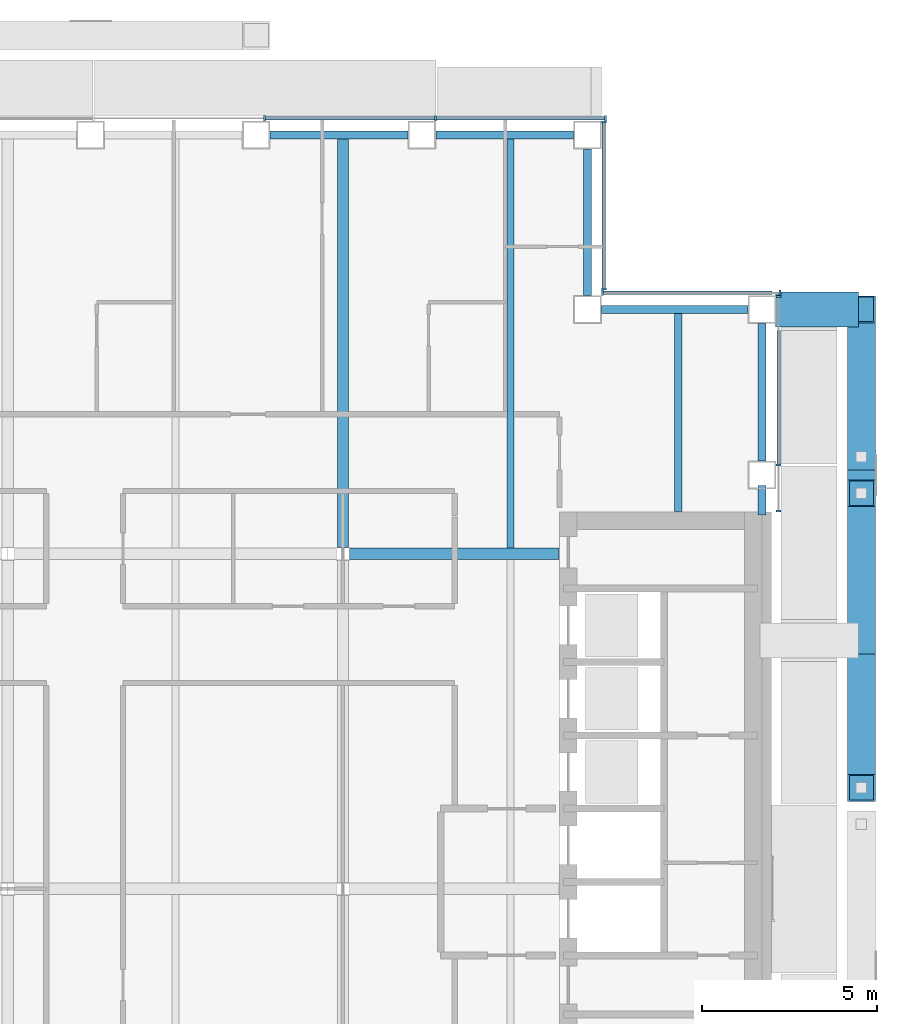
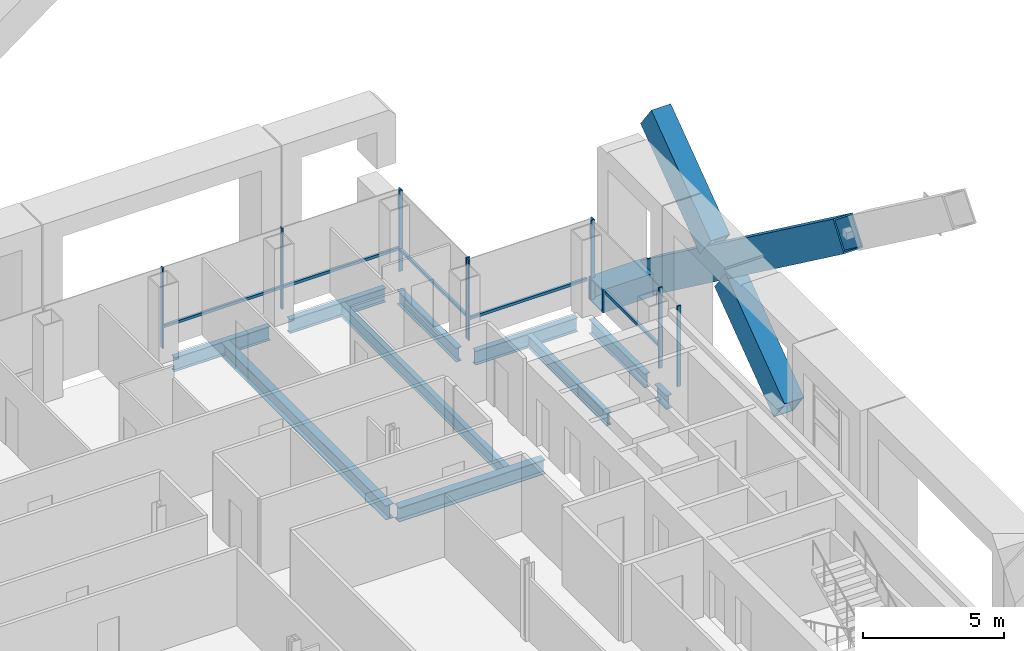
# One storey, part 10 of 22: 18 members, 11 beams, 4 elements without a shape of their own.
"""IFC4 building model written with IfcOpenShell, lengths in metres."""

from ifc_helpers import new_model, si_unit, direction, frame, origin, origin_2d, place, context, subcontext, project, spatial, rectangle, hollow_rectangle, i_section, extrude, material, material_profile, profile_set, type_object, element, aggregate, save


model = new_model("IFC4")

# Units and contexts
model_context = context("Model", 3, precision=1e-05, world=origin(), true_north=direction((0.0, 1.0)))
body_context = subcontext(model_context, "Body", "Model", "MODEL_VIEW")
ifc_project = project(units=[si_unit("LENGTHUNIT", "METRE"), si_unit("AREAUNIT", "SQUARE_METRE"), si_unit("VOLUMEUNIT", "CUBIC_METRE"), si_unit("PLANEANGLEUNIT", "RADIAN"), si_unit("MASSUNIT", "GRAM", prefix="KILO")], contexts=[model_context])

# Site, building, storey
site_placement = place(None, origin())
site = spatial("IfcSite", under=ifc_project, at=site_placement, CompositionType="ELEMENT")
building_placement = place(site_placement, origin())
building = spatial("IfcBuilding", under=site, at=building_placement, Name="Cobrizo Arcos Hotel Tower", CompositionType="ELEMENT")
storey_placement = place(building_placement, frame((0.0, 0.0, 169.0)))
storey = spatial("IfcBuildingStorey", under=building, at=storey_placement, Name="L43", CompositionType="ELEMENT", Elevation=169.0)

# Beam
ifc_material_1 = material(Name="Steel ASTM A572 Grade 50", Category="steel")
ifc_material_profile_1 = material_profile(ifc_material_1, hollow_rectangle(XDim=1.0, YDim=1.0, WallThickness=0.06005859375, at=origin_2d()), Name="BOX 1000X1000X60")
ifc_profile_set_1 = profile_set([ifc_material_profile_1], Name="Steel ASTM A572 Grade 50")
beam_type_1 = type_object("IfcBeamType", Name="BOX 1000X1000X60 brace connector strut", PredefinedType="BEAM", material=ifc_profile_set_1)
beam_1_placement = place(storey_placement, frame((21.989990234375, 16.60009765625, 0.5), z_axis=(1.0, 0.0, 0.0), x_axis=(0.0, 1.0, 0.0)))
element("IfcBeam", 1, at=beam_1_placement, inside=storey, type_object=beam_type_1, Name="Perimeter brace stub BS1, zone Z3, east face, offset +16.60 m, L43", PredefinedType="BEAM", context=body_context, shape_type="SweptSolid", body=[
    extrude(hollow_rectangle(XDim=1.0, YDim=1.0, WallThickness=0.06005859375, at=origin_2d()), origin(), (0.0, 0.0, 1.0), 2.380126953125),
])

# Members
ifc_material_profile_2 = material_profile(ifc_material_1, hollow_rectangle(XDim=0.800048828125, YDim=1.300048828125, WallThickness=0.06005859375, at=origin_2d()), Name="BOX 800X1300X60")
ifc_profile_set_2 = profile_set([ifc_material_profile_2], Name="Steel ASTM A572 Grade 50")
member_type_1 = type_object("IfcMemberType", Name="BOX 800X1300X60 perimeter brace", PredefinedType="BRACE", material=ifc_profile_set_2)
for number, where, z_axis, x_axis, name in (
    (2, (24.449951171875, 7.1142578125, 0.5), (0.0, 0.804623858684, 0.593784848271), (-1.0, 0.0, 0.0), "Perimeter brace PBR3, zone Z3, east face, no. 12"),
    (3, (24.449951171875, 12.38037109375, 4.385986328125), (0.0, 0.804623858684, 0.593784848271), (-1.0, 0.0, 0.0), "Perimeter brace PBR3, zone Z3, east face, no. 12b"),
):
    element("IfcMember", number, at=place(storey_placement, frame(where, z_axis=z_axis, x_axis=x_axis)), inside=storey, type_object=member_type_1, Name=name, PredefinedType="BRACE", context=body_context, shape_type="SweptSolid", body=[
        extrude(hollow_rectangle(XDim=0.800048828125, YDim=1.300048828125, WallThickness=0.06005859375, at=origin_2d()), origin(), (0.0, 0.0, 1.0), 5.244384765625),
    ])
member_1_placement = place(storey_placement, frame((24.449951171875, 16.60009765625, 0.5), z_axis=(0.0, -0.804630166974, 0.593776299961), x_axis=(1.0, 0.0, 0.0)))
element("IfcMember", 4, at=member_1_placement, inside=storey, type_object=member_type_1, Name="Perimeter brace PBR3, zone Z3, east face, no. 13", PredefinedType="BRACE", context=body_context, shape_type="SweptSolid", body=[
    extrude(hollow_rectangle(XDim=0.800048828125, YDim=1.300048828125, WallThickness=0.06005859375, at=origin_2d()), origin(), (0.0, 0.0, 1.0), 17.033447265625),
])

# Curtain wall, members
ifc_material_2 = material(Name="Aluminium 6063-T6 anodised bronze", Category="aluminium")
curtain_wall_type = type_object("IfcCurtainWallType", Name="CW-A guest facade", PredefinedType="NOTDEFINED", material=ifc_material_2)
curtain_wall_1_placement = place(storey_placement, origin())
curtain_wall_1 = element("IfcCurtainWall", 5, at=curtain_wall_1_placement, inside=storey, type_object=curtain_wall_type, Name="CW-A L43 E face", PredefinedType="NOTDEFINED")
ifc_material_profile_3 = material_profile(ifc_material_2, rectangle(XDim=0.14990234375, YDim=0.06005859375, at=origin_2d()), Name="CW-A mullion 150x60")
ifc_profile_set_3 = profile_set([ifc_material_profile_3], Name="Aluminium 6063-T6 anodised bronze")
member_type_2 = type_object("IfcMemberType", Name="CW-A mullion 150x60", PredefinedType="MULLION", material=ifc_profile_set_3)
member_2_placement = place(storey_placement, frame((22.074951171875, 10.830078125, 0.0), z_axis=(0.0, 0.0, 1.0), x_axis=(1.0, 0.0, 0.0)))
member_2 = element("IfcMember", 6, at=member_2_placement, type_object=member_type_2, Name="CW-A mullion 1", PredefinedType="MULLION", context=body_context, shape_type="SweptSolid", body=[
    extrude(rectangle(XDim=0.14990234375, YDim=0.06005859375, at=origin_2d()), origin(), (0.0, 0.0, 1.0), 3.5),
])
member_3_placement = place(storey_placement, frame((22.074951171875, 12.142822265625, 0.0), z_axis=(0.0, 0.0, 1.0), x_axis=(1.0, 0.0, 0.0)))
member_3 = element("IfcMember", 7, at=member_3_placement, type_object=member_type_2, Name="CW-A mullion 2", PredefinedType="MULLION", context=body_context, shape_type="SweptSolid", body=[
    extrude(rectangle(XDim=0.14990234375, YDim=0.06005859375, at=origin_2d()), origin(), (0.0, 0.0, 1.0), 3.5),
])
member_4_placement = place(storey_placement, frame((22.074951171875, 16.969970703125, 0.0), z_axis=(0.0, 0.0, 1.0), x_axis=(1.0, 0.0, 0.0)))
member_4 = element("IfcMember", 8, at=member_4_placement, type_object=member_type_2, Name="CW-A mullion 3", PredefinedType="MULLION", context=body_context, shape_type="SweptSolid", body=[
    extrude(rectangle(XDim=0.14990234375, YDim=0.06005859375, at=origin_2d()), origin(), (0.0, 0.0, 1.0), 3.5),
])

curtain_wall_2_placement = place(storey_placement, origin())
curtain_wall_2 = element("IfcCurtainWall", 9, at=curtain_wall_2_placement, inside=storey, type_object=curtain_wall_type, Name="CW-A L43 N face", PredefinedType="NOTDEFINED")
member_5_placement = place(storey_placement, frame((22.1201171875, 17.074951171875, 0.0), z_axis=(0.0, 0.0, 1.0), x_axis=(0.0, 1.0, 0.0)))
member_5 = element("IfcMember", 10, at=member_5_placement, type_object=member_type_2, Name="CW-A mullion 1", PredefinedType="MULLION", context=body_context, shape_type="SweptSolid", body=[
    extrude(rectangle(XDim=0.14990234375, YDim=0.06005859375, at=origin_2d()), origin(), (0.0, 0.0, 1.0), 3.5),
])
member_6_placement = place(storey_placement, frame((17.030029296875, 17.074951171875, 0.0), z_axis=(0.0, 0.0, 1.0), x_axis=(0.0, 1.0, 0.0)))
member_6 = element("IfcMember", 11, at=member_6_placement, type_object=member_type_2, Name="CW-A mullion 2", PredefinedType="MULLION", context=body_context, shape_type="SweptSolid", body=[
    extrude(rectangle(XDim=0.14990234375, YDim=0.06005859375, at=origin_2d()), origin(), (0.0, 0.0, 1.0), 3.5),
])

curtain_wall_3_placement = place(storey_placement, origin())
curtain_wall_3 = element("IfcCurtainWall", 12, at=curtain_wall_3_placement, inside=storey, type_object=curtain_wall_type, Name="CW-A L43 E face", PredefinedType="NOTDEFINED")
member_7_placement = place(storey_placement, frame((17.074951171875, 17.179931640625, 0.0), z_axis=(0.0, 0.0, 1.0), x_axis=(1.0, 0.0, 0.0)))
member_7 = element("IfcMember", 13, at=member_7_placement, type_object=member_type_2, Name="CW-A mullion 1", PredefinedType="MULLION", context=body_context, shape_type="SweptSolid", body=[
    extrude(rectangle(XDim=0.14990234375, YDim=0.06005859375, at=origin_2d()), origin(), (0.0, 0.0, 1.0), 3.5),
])
member_8_placement = place(storey_placement, frame((17.074951171875, 21.969970703125, 0.0), z_axis=(0.0, 0.0, 1.0), x_axis=(1.0, 0.0, 0.0)))
member_8 = element("IfcMember", 14, at=member_8_placement, type_object=member_type_2, Name="CW-A mullion 2", PredefinedType="MULLION", context=body_context, shape_type="SweptSolid", body=[
    extrude(rectangle(XDim=0.14990234375, YDim=0.06005859375, at=origin_2d()), origin(), (0.0, 0.0, 1.0), 3.5),
])

curtain_wall_4_placement = place(storey_placement, origin())
curtain_wall_4 = element("IfcCurtainWall", 15, at=curtain_wall_4_placement, inside=storey, type_object=curtain_wall_type, Name="CW-A L43 N face", PredefinedType="NOTDEFINED")
member_9_placement = place(storey_placement, frame((17.1201171875, 22.074951171875, 0.0), z_axis=(0.0, 0.0, 1.0), x_axis=(0.0, 1.0, 0.0)))
member_9 = element("IfcMember", 16, at=member_9_placement, type_object=member_type_2, Name="CW-A mullion 1", PredefinedType="MULLION", context=body_context, shape_type="SweptSolid", body=[
    extrude(rectangle(XDim=0.14990234375, YDim=0.06005859375, at=origin_2d()), origin(), (0.0, 0.0, 1.0), 3.5),
])
member_10_placement = place(storey_placement, frame((12.25, 22.074951171875, 0.0), z_axis=(0.0, 0.0, 1.0), x_axis=(0.0, 1.0, 0.0)))
member_10 = element("IfcMember", 17, at=member_10_placement, type_object=member_type_2, Name="CW-A mullion 2", PredefinedType="MULLION", context=body_context, shape_type="SweptSolid", body=[
    extrude(rectangle(XDim=0.14990234375, YDim=0.06005859375, at=origin_2d()), origin(), (0.0, 0.0, 1.0), 3.5),
])
member_11_placement = place(storey_placement, frame((7.35009765625, 22.074951171875, 0.0), z_axis=(0.0, 0.0, 1.0), x_axis=(0.0, 1.0, 0.0)))
member_11 = element("IfcMember", 18, at=member_11_placement, type_object=member_type_2, Name="CW-A mullion 3", PredefinedType="MULLION", context=body_context, shape_type="SweptSolid", body=[
    extrude(rectangle(XDim=0.14990234375, YDim=0.06005859375, at=origin_2d()), origin(), (0.0, 0.0, 1.0), 3.5),
])

# Member
ifc_material_profile_4 = material_profile(ifc_material_2, rectangle(XDim=0.10009765625, YDim=0.1201171875, at=origin_2d()), Name="CW-A transom 120x100")
ifc_profile_set_4 = profile_set([ifc_material_profile_4], Name="Aluminium 6063-T6 anodised bronze")
member_type_3 = type_object("IfcMemberType", Name="CW-A transom 120x100", PredefinedType="USERDEFINED", material=ifc_profile_set_4)
member_12_placement = place(storey_placement, frame((22.074951171875, 12.1728515625, 0.929931640625), z_axis=(0.0, 1.0, 0.0), x_axis=(-1.0, 0.0, 0.0)))
member_12 = element("IfcMember", 19, at=member_12_placement, type_object=member_type_3, Name="CW-A transom 1528", ObjectType="TRANSOM", PredefinedType="USERDEFINED", context=body_context, shape_type="SweptSolid", body=[
    extrude(rectangle(XDim=0.10009765625, YDim=0.1201171875, at=origin_2d()), origin(), (0.0, 0.0, 1.0), 3.8271484375),
])

aggregate(curtain_wall_1, [member_2, member_3, member_4, member_12])

member_13_placement = place(storey_placement, frame((21.889892578125, 17.074951171875, 0.929931640625), z_axis=(-1.0, 0.0, 0.0), x_axis=(0.0, -1.0, 0.0)))
member_13 = element("IfcMember", 20, at=member_13_placement, type_object=member_type_3, Name="CW-A transom 1529", ObjectType="TRANSOM", PredefinedType="USERDEFINED", context=body_context, shape_type="SweptSolid", body=[
    extrude(rectangle(XDim=0.10009765625, YDim=0.1201171875, at=origin_2d()), origin(), (0.0, 0.0, 1.0), 4.829833984375),
])

aggregate(curtain_wall_2, [member_5, member_6, member_13])

member_14_placement = place(storey_placement, frame((17.074951171875, 17.2099609375, 0.929931640625), z_axis=(0.0, 1.0, 0.0), x_axis=(-1.0, 0.0, 0.0)))
member_14 = element("IfcMember", 21, at=member_14_placement, type_object=member_type_3, Name="CW-A transom 1530", ObjectType="TRANSOM", PredefinedType="USERDEFINED", context=body_context, shape_type="SweptSolid", body=[
    extrude(rectangle(XDim=0.10009765625, YDim=0.1201171875, at=origin_2d()), origin(), (0.0, 0.0, 1.0), 4.72998046875),
])

aggregate(curtain_wall_3, [member_7, member_8, member_14])

member_15_placement = place(storey_placement, frame((17.090087890625, 22.074951171875, 0.929931640625), z_axis=(-1.0, 0.0, 0.0), x_axis=(0.0, -1.0, 0.0)))
member_15 = element("IfcMember", 22, at=member_15_placement, type_object=member_type_3, Name="CW-A transom 1531", ObjectType="TRANSOM", PredefinedType="USERDEFINED", context=body_context, shape_type="SweptSolid", body=[
    extrude(rectangle(XDim=0.10009765625, YDim=0.1201171875, at=origin_2d()), origin(), (0.0, 0.0, 1.0), 4.81005859375),
])

member_16_placement = place(storey_placement, frame((12.219970703125, 22.074951171875, 0.929931640625), z_axis=(-1.0, 0.0, 0.0), x_axis=(0.0, -1.0, 0.0)))
member_16 = element("IfcMember", 23, at=member_16_placement, type_object=member_type_3, Name="CW-A transom 1532", ObjectType="TRANSOM", PredefinedType="USERDEFINED", context=body_context, shape_type="SweptSolid", body=[
    extrude(rectangle(XDim=0.10009765625, YDim=0.1201171875, at=origin_2d()), origin(), (0.0, 0.0, 1.0), 4.840087890625),
])

aggregate(curtain_wall_4, [member_9, member_10, member_11, member_15, member_16])

# Beams
ifc_material_3 = material(Name="Steel ASTM A992 Grade 50", Category="steel")
ifc_material_profile_5 = material_profile(ifc_material_3, i_section(OverallWidth=0.209228515625, OverallDepth=0.533447265625, WebThickness=0.01025390625, FlangeThickness=0.015625, at=origin_2d()), Name="W21X62")
ifc_profile_set_5 = profile_set([ifc_material_profile_5], Name="Steel ASTM A992 Grade 50")
beam_type_2 = type_object("IfcBeamType", Name="W21X62 joist", PredefinedType="JOIST", material=ifc_profile_set_5)
beam_2_placement = place(storey_placement, frame((14.39990234375, 9.763916015625, -0.416748046875), z_axis=(0.0, 1.0, 0.0), x_axis=(-1.0, 0.0, 0.0)))
element("IfcBeam", 24, at=beam_2_placement, inside=storey, type_object=beam_type_2, Name="Floor joist J1, L43, no. 018", PredefinedType="JOIST", context=body_context, shape_type="SweptSolid", body=[
    extrude(i_section(OverallWidth=0.209228515625, OverallDepth=0.533447265625, WebThickness=0.01025390625, FlangeThickness=0.015625, at=origin_2d()), origin(), (0.0, 0.0, 1.0), 11.74609375),
])
beam_3_placement = place(storey_placement, frame((19.199951171875, 10.81005859375, -0.416748046875), z_axis=(0.0, 1.0, 0.0), x_axis=(-1.0, 0.0, 0.0)))
element("IfcBeam", 25, at=beam_3_placement, inside=storey, type_object=beam_type_2, Name="Floor joist J1, L43, no. 020", PredefinedType="JOIST", context=body_context, shape_type="SweptSolid", body=[
    extrude(i_section(OverallWidth=0.209228515625, OverallDepth=0.533447265625, WebThickness=0.01025390625, FlangeThickness=0.015625, at=origin_2d()), origin(), (0.0, 0.0, 1.0), 5.699951171875),
])
ifc_material_profile_6 = material_profile(ifc_material_3, i_section(OverallWidth=0.32763671875, OverallDepth=0.622314453125, WebThickness=0.015380859375, FlangeThickness=0.0244140625, at=origin_2d()), Name="W24X131")
ifc_profile_set_6 = profile_set([ifc_material_profile_6], Name="Steel ASTM A992 Grade 50")
beam_type_3 = type_object("IfcBeamType", Name="W24X131 girder", PredefinedType="BEAM", material=ifc_profile_set_6)
beam_4_placement = place(storey_placement, frame((9.78662109375, 9.60009765625, -0.461181640625), z_axis=(1.0, 0.0, 0.0), x_axis=(0.0, 1.0, 0.0)))
element("IfcBeam", 26, at=beam_4_placement, inside=storey, type_object=beam_type_3, Name="Floor girder G1, L43, no. 012", PredefinedType="BEAM", context=body_context, shape_type="SweptSolid", body=[
    extrude(i_section(OverallWidth=0.32763671875, OverallDepth=0.622314453125, WebThickness=0.015380859375, FlangeThickness=0.0244140625, at=origin_2d()), origin(), (0.0, 0.0, 1.0), 6.00341796875),
])
beam_5_placement = place(storey_placement, frame((9.60009765625, 9.78662109375, -0.461181640625), z_axis=(0.0, 1.0, 0.0), x_axis=(-1.0, 0.0, 0.0)))
element("IfcBeam", 27, at=beam_5_placement, inside=storey, type_object=beam_type_3, Name="Floor girder G1, L43, no. 024", PredefinedType="BEAM", context=body_context, shape_type="SweptSolid", body=[
    extrude(i_section(OverallWidth=0.32763671875, OverallDepth=0.622314453125, WebThickness=0.015380859375, FlangeThickness=0.0244140625, at=origin_2d()), origin(), (0.0, 0.0, 1.0), 11.723388671875),
])
ifc_material_profile_7 = material_profile(ifc_material_3, i_section(OverallWidth=0.228271484375, OverallDepth=0.607177734375, WebThickness=0.01123046875, FlangeThickness=0.017333984375, at=origin_2d()), Name="W24X76")
ifc_profile_set_7 = profile_set([ifc_material_profile_7], Name="Steel ASTM A992 Grade 50")
beam_type_4 = type_object("IfcBeamType", Name="W24X76 spandrel", PredefinedType="SPANDREL", material=ifc_profile_set_7)
beam_6_placement = place(storey_placement, frame((21.60009765625, 10.7099609375, -0.45361328125), z_axis=(0.0, 1.0, 0.0), x_axis=(-1.0, 0.0, 0.0)))
element("IfcBeam", 28, at=beam_6_placement, inside=storey, type_object=beam_type_4, Name="Spandrel beam W24X76, L43, no. 012", PredefinedType="SPANDREL", context=body_context, shape_type="SweptSolid", body=[
    extrude(i_section(OverallWidth=0.228271484375, OverallDepth=0.607177734375, WebThickness=0.01123046875, FlangeThickness=0.017333984375, at=origin_2d()), origin(), (0.0, 0.0, 1.0), 0.846923828125),
])
beam_7_placement = place(storey_placement, frame((21.60009765625, 12.257080078125, -0.45361328125), z_axis=(0.0, 1.0, 0.0), x_axis=(-1.0, 0.0, 0.0)))
element("IfcBeam", 29, at=beam_7_placement, inside=storey, type_object=beam_type_4, Name="Spandrel beam W24X76, L43, no. 013", PredefinedType="SPANDREL", context=body_context, shape_type="SweptSolid", body=[
    extrude(i_section(OverallWidth=0.228271484375, OverallDepth=0.607177734375, WebThickness=0.01123046875, FlangeThickness=0.017333984375, at=origin_2d()), origin(), (0.0, 0.0, 1.0), 3.94287109375),
])
for number, where, z_axis, x_axis, name in (
    (30, (21.199951171875, 16.60009765625, -0.45361328125), (-1.0, 0.0, 0.0), (0.0, -1.0, 0.0), "Spandrel beam W24X76, L43, no. 014"),
    (31, (16.60009765625, 17.0, -0.45361328125), (0.0, 1.0, 0.0), (-1.0, 0.0, 0.0), "Spandrel beam W24X76, L43, no. 015"),
):
    element("IfcBeam", number, at=place(storey_placement, frame(where, z_axis=z_axis, x_axis=x_axis)), inside=storey, type_object=beam_type_4, Name=name, PredefinedType="SPANDREL", context=body_context, shape_type="SweptSolid", body=[
        extrude(i_section(OverallWidth=0.228271484375, OverallDepth=0.607177734375, WebThickness=0.01123046875, FlangeThickness=0.017333984375, at=origin_2d()), origin(), (0.0, 0.0, 1.0), 4.199951171875),
    ])
beam_8_placement = place(storey_placement, frame((16.199951171875, 21.60009765625, -0.45361328125), z_axis=(-1.0, 0.0, 0.0), x_axis=(0.0, -1.0, 0.0)))
element("IfcBeam", 32, at=beam_8_placement, inside=storey, type_object=beam_type_4, Name="Spandrel beam W24X76, L43, no. 016", PredefinedType="SPANDREL", context=body_context, shape_type="SweptSolid", body=[
    extrude(i_section(OverallWidth=0.228271484375, OverallDepth=0.607177734375, WebThickness=0.01123046875, FlangeThickness=0.017333984375, at=origin_2d()), origin(), (0.0, 0.0, 1.0), 3.94287109375),
])
beam_9_placement = place(storey_placement, frame((11.45703125, 21.60009765625, -0.45361328125), z_axis=(-1.0, 0.0, 0.0), x_axis=(0.0, -1.0, 0.0)))
element("IfcBeam", 33, at=beam_9_placement, inside=storey, type_object=beam_type_4, Name="Spandrel beam W24X76, L43, no. 017", PredefinedType="SPANDREL", context=body_context, shape_type="SweptSolid", body=[
    extrude(i_section(OverallWidth=0.228271484375, OverallDepth=0.607177734375, WebThickness=0.01123046875, FlangeThickness=0.017333984375, at=origin_2d()), origin(), (0.0, 0.0, 1.0), 3.943115234375),
])

save(model, "model.ifc")
